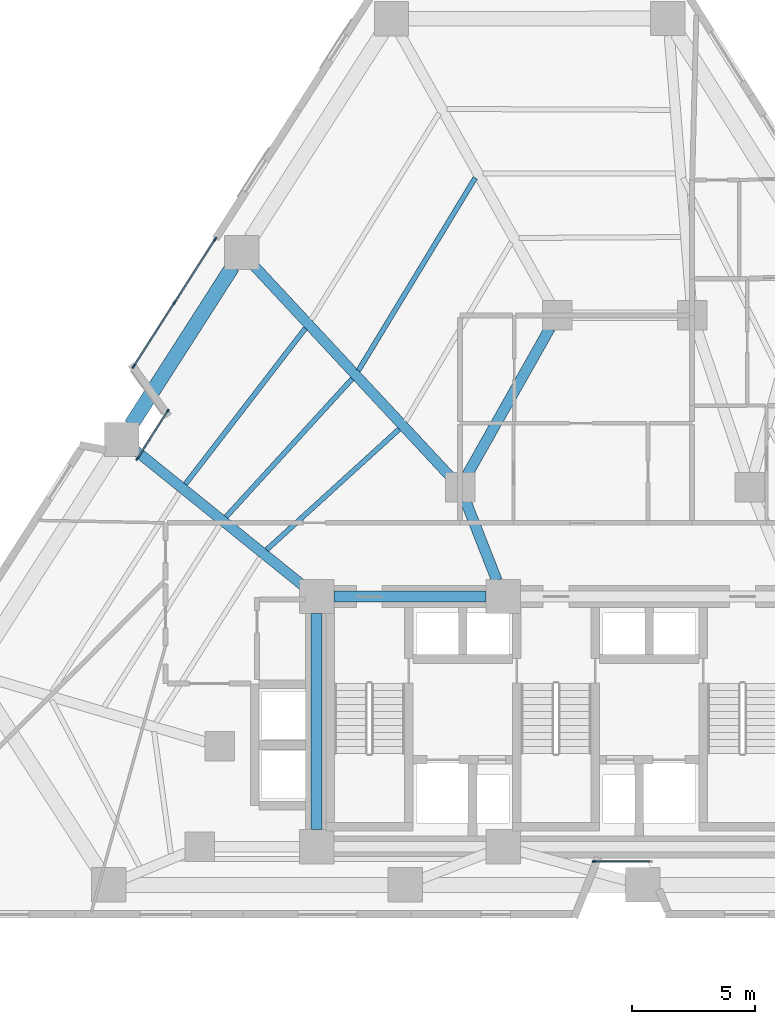
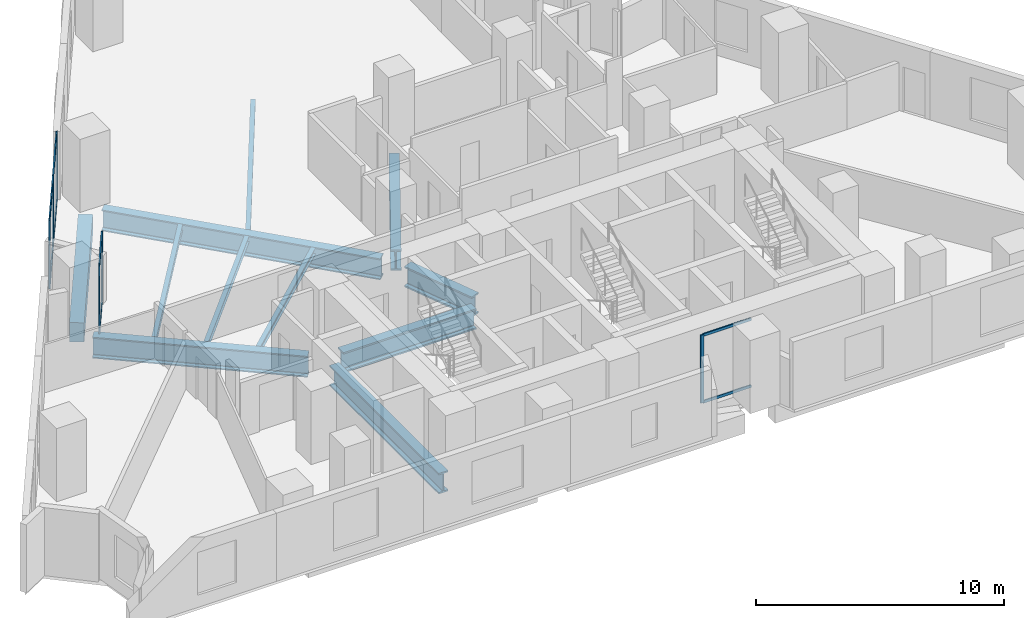
# One storey, part 2 of 13: 14 members, 11 beams, 3 elements without a shape of their own.
"""IFC4 building model written with IfcOpenShell, lengths in metres."""

from ifc_helpers import new_model, si_unit, direction, frame, origin, origin_2d, place, context, subcontext, project, spatial, rectangle, i_section, extrude, material, layer, layer_set, material_profile, profile_set, type_object, element, aggregate, save


model = new_model("IFC4")

# Units and contexts
model_context = context("Model", 3, precision=1e-05, world=origin(), true_north=direction((0.0, 1.0)))
body_context = subcontext(model_context, "Body", "Model", "MODEL_VIEW")
ifc_project = project(units=[si_unit("LENGTHUNIT", "METRE"), si_unit("AREAUNIT", "SQUARE_METRE"), si_unit("VOLUMEUNIT", "CUBIC_METRE"), si_unit("PLANEANGLEUNIT", "RADIAN"), si_unit("MASSUNIT", "GRAM", prefix="KILO")], contexts=[model_context])

# Site, building, storey
site_placement = place(None, origin())
site = spatial("IfcSite", under=ifc_project, at=site_placement, CompositionType="ELEMENT")
building_placement = place(site_placement, origin())
building = spatial("IfcBuilding", under=site, at=building_placement, Name="Almagre Mirador Tower", CompositionType="ELEMENT")
storey_placement = place(building_placement, frame((0.0, 0.0, 57.0)))
storey = spatial("IfcBuildingStorey", under=building, at=storey_placement, Name="L13", CompositionType="ELEMENT", Elevation=57.0)

# Beams
ifc_material_1 = material(Name="Steel ASTM A992 Grade 50", Category="steel")
ifc_material_profile_1 = material_profile(ifc_material_1, i_section(OverallWidth=0.205078125, OverallDepth=0.31005859375, WebThickness=0.009521484375, FlangeThickness=0.016357421875, FilletRadius=0.013916015625, at=origin_2d()), Name="W12X50")
ifc_profile_set_1 = profile_set([ifc_material_profile_1], Name="Steel ASTM A992 Grade 50")
beam_type_1 = type_object("IfcBeamType", Name="BM-JST-W12X50", PredefinedType="JOIST", material=ifc_profile_set_1)
beam_1_placement = place(storey_placement, frame((34.012939453125, 31.798828125, -0.405029296875), z_axis=(-0.51858522913, -0.855025941202, 0.0), x_axis=(0.855025941202, -0.51858522913, 0.0)))
element("IfcBeam", 1, at=beam_1_placement, inside=storey, type_object=beam_type_1, Name="L13 secondary floor joist PC09-PC10.2", PredefinedType="JOIST", context=body_context, shape_type="SweptSolid", body=[
    extrude(i_section(OverallWidth=0.205078125, OverallDepth=0.31005859375, WebThickness=0.009521484375, FlangeThickness=0.016357421875, FilletRadius=0.013916015625, at=origin_2d()), origin(), (0.0, 0.0, 1.0), 9.178955078125),
])
beam_2_placement = place(storey_placement, frame((27.093017578125, 25.672119140625, -0.405029296875), z_axis=(-0.610045173771, -0.792366636071, 0.0), x_axis=(0.792366636071, -0.610045173771, 0.0)))
element("IfcBeam", 2, at=beam_2_placement, inside=storey, type_object=beam_type_1, Name="L13 secondary floor joist PC10-PC11.1", PredefinedType="JOIST", context=body_context, shape_type="SweptSolid", body=[
    extrude(i_section(OverallWidth=0.205078125, OverallDepth=0.31005859375, WebThickness=0.009521484375, FlangeThickness=0.016357421875, FilletRadius=0.013916015625, at=origin_2d()), origin(), (0.0, 0.0, 1.0), 8.007568359375),
])
beam_3_placement = place(storey_placement, frame((29.0029296875, 23.6171875, -0.405029296875), z_axis=(-0.674525341374, -0.738251694102, 0.0), x_axis=(0.738251694102, -0.674525341374, 0.0)))
element("IfcBeam", 3, at=beam_3_placement, inside=storey, type_object=beam_type_1, Name="L13 secondary floor joist PC10-PC11.2", PredefinedType="JOIST", context=body_context, shape_type="SweptSolid", body=[
    extrude(i_section(OverallWidth=0.205078125, OverallDepth=0.31005859375, WebThickness=0.009521484375, FlangeThickness=0.016357421875, FilletRadius=0.013916015625, at=origin_2d()), origin(), (0.0, 0.0, 1.0), 7.6201171875),
])
beam_4_placement = place(storey_placement, frame((30.912841796875, 21.564453125, -0.405029296875), z_axis=(-0.739528010183, -0.673125784794, 0.0), x_axis=(0.673125784794, -0.739528010183, 0.0)))
element("IfcBeam", 4, at=beam_4_placement, inside=storey, type_object=beam_type_1, Name="L13 secondary floor joist PC10-PC11.3", PredefinedType="JOIST", context=body_context, shape_type="SweptSolid", body=[
    extrude(i_section(OverallWidth=0.205078125, OverallDepth=0.31005859375, WebThickness=0.009521484375, FlangeThickness=0.016357421875, FilletRadius=0.013916015625, at=origin_2d()), origin(), (0.0, 0.0, 1.0), 7.294677734375),
])
ifc_material_2 = material(Name="Precast concrete C50/60", Category="concrete")
ifc_material_profile_2 = material_profile(ifc_material_2, rectangle(XDim=0.60009765625, YDim=0.949951171875, at=origin_2d()), Name="RC600X950")
ifc_profile_set_2 = profile_set([ifc_material_profile_2], Name="Precast concrete C50/60")
beam_type_2 = type_object("IfcBeamType", Name="BM-SPN-RC600X950", PredefinedType="SPANDREL", material=ifc_profile_set_2)
beam_5_placement = place(storey_placement, frame((24.122314453125, 28.171630859375, -0.72509765625), z_axis=(-0.539486777129, -0.841994072012, 0.0), x_axis=(0.841994072012, -0.539486777129, 0.0)))
element("IfcBeam", 5, at=beam_5_placement, inside=storey, type_object=beam_type_2, Name="L13 perimeter spandrel beam PC10-PC11", PredefinedType="SPANDREL", context=body_context, shape_type="SweptSolid", body=[
    extrude(rectangle(XDim=0.60009765625, YDim=0.949951171875, at=origin_2d()), origin(), (0.0, 0.0, 1.0), 7.645263671875),
])
ifc_material_3 = material(Name="Steel ASTM A992 Grade 50", Category="steel")
ifc_material_profile_3 = material_profile(ifc_material_3, i_section(OverallWidth=0.43701171875, OverallDepth=1.010986328125, WebThickness=0.041015625, FlangeThickness=0.073974609375, FilletRadius=0.028076171875, at=origin_2d()), Name="W36X529")
ifc_profile_set_3 = profile_set([ifc_material_profile_3], Name="Steel ASTM A992 Grade 50")
beam_type_3 = type_object("IfcBeamType", Name="BM-STL-W36X529", PredefinedType="BEAM", material=ifc_profile_set_3)
beam_6_placement = place(storey_placement, frame((28.25, 14.75, -0.755615234375), z_axis=(1.0, 0.0, 0.0), x_axis=(0.0, 1.0, 0.0)))
element("IfcBeam", 6, at=beam_6_placement, inside=storey, type_object=beam_type_3, Name="L13 core tie girder CC4-CC5", PredefinedType="BEAM", context=body_context, shape_type="SweptSolid", body=[
    extrude(i_section(OverallWidth=0.43701171875, OverallDepth=1.010986328125, WebThickness=0.041015625, FlangeThickness=0.073974609375, FilletRadius=0.028076171875, at=origin_2d()), origin(), (0.0, 0.0, 1.0), 6.199951171875),
])
beam_7_placement = place(storey_placement, frame((27.550048828125, 5.25, -0.755615234375), z_axis=(0.0, 1.0, 0.0), x_axis=(-1.0, 0.0, 0.0)))
element("IfcBeam", 7, at=beam_7_placement, inside=storey, type_object=beam_type_3, Name="L13 core tie girder CC1-CC4", PredefinedType="BEAM", context=body_context, shape_type="SweptSolid", body=[
    extrude(i_section(OverallWidth=0.43701171875, OverallDepth=1.010986328125, WebThickness=0.041015625, FlangeThickness=0.073974609375, FilletRadius=0.028076171875, at=origin_2d()), origin(), (0.0, 0.0, 1.0), 8.800048828125),
])
beam_8_placement = place(storey_placement, frame((37.05517578125, 25.677490234375, -0.755615234375), z_axis=(-0.491440637516, -0.870911074564, 0.0), x_axis=(0.870911074564, -0.491440637516, 0.0)))
element("IfcBeam", 8, at=beam_8_placement, inside=storey, type_object=beam_type_3, Name="L13 core tie girder MC7-MC8", PredefinedType="BEAM", context=body_context, shape_type="SweptSolid", body=[
    extrude(i_section(OverallWidth=0.43701171875, OverallDepth=1.010986328125, WebThickness=0.041015625, FlangeThickness=0.073974609375, FilletRadius=0.028076171875, at=origin_2d()), origin(), (0.0, 0.0, 1.0), 6.837646484375),
])
beam_9_placement = place(storey_placement, frame((33.61962890625, 18.6416015625, -0.755615234375), z_axis=(0.365956076985, -0.93063212373, 0.0), x_axis=(0.93063212373, 0.365956076985, 0.0)))
element("IfcBeam", 9, at=beam_9_placement, inside=storey, type_object=beam_type_3, Name="L13 core tie girder MC8-CC5", PredefinedType="BEAM", context=body_context, shape_type="SweptSolid", body=[
    extrude(i_section(OverallWidth=0.43701171875, OverallDepth=1.010986328125, WebThickness=0.041015625, FlangeThickness=0.073974609375, FilletRadius=0.028076171875, at=origin_2d()), origin(), (0.0, 0.0, 1.0), 3.481689453125),
])
ifc_material_4 = material(Name="Steel ASTM A913 Grade 65", Category="steel")
ifc_material_profile_4 = material_profile(ifc_material_4, i_section(OverallWidth=0.4189453125, OverallDepth=1.041015625, WebThickness=0.031005859375, FlangeThickness=0.055908203125, FilletRadius=0.030029296875, at=origin_2d()), Name="W40X397")
ifc_profile_set_4 = profile_set([ifc_material_profile_4], Name="Steel ASTM A913 Grade 65")
beam_type_4 = type_object("IfcBeamType", Name="BM-STL-W40X397", PredefinedType="BEAM", material=ifc_profile_set_4)
beam_10_placement = place(storey_placement, frame((24.976806640625, 28.24853515625, -0.7705078125), z_axis=(0.681362933779, -0.731945730551, 0.0), x_axis=(0.731945730551, 0.681362933779, 0.0)))
element("IfcBeam", 10, at=beam_10_placement, inside=storey, type_object=beam_type_4, Name="L13 radial floor girder PC10-MC8", PredefinedType="BEAM", context=body_context, shape_type="SweptSolid", body=[
    extrude(i_section(OverallWidth=0.4189453125, OverallDepth=1.041015625, WebThickness=0.031005859375, FlangeThickness=0.055908203125, FilletRadius=0.030029296875, at=origin_2d()), origin(), (0.0, 0.0, 1.0), 11.76220703125),
])
beam_11_placement = place(storey_placement, frame((20.164794921875, 20.70556640625, -0.7705078125), z_axis=(0.778428805214, -0.627732901171, 0.0), x_axis=(0.627732901171, 0.778428805214, 0.0)))
element("IfcBeam", 11, at=beam_11_placement, inside=storey, type_object=beam_type_4, Name="L13 radial floor girder PC11-CC4", PredefinedType="BEAM", context=body_context, shape_type="SweptSolid", body=[
    extrude(i_section(OverallWidth=0.4189453125, OverallDepth=1.041015625, WebThickness=0.031005859375, FlangeThickness=0.055908203125, FilletRadius=0.030029296875, at=origin_2d()), origin(), (0.0, 0.0, 1.0), 8.787353515625),
])

# Curtain wall, members
ifc_material_5 = material(Name="Black anodized aluminium", Category="aluminium")
ifc_layer_1 = layer(ifc_material_5, 0.169921875)
ifc_layer_set_1 = layer_set([ifc_layer_1], Name="Black anodized aluminium")
curtain_wall_type_1 = type_object("IfcCurtainWallType", Name="CW-CRS-SYS", PredefinedType="NOTDEFINED", material=ifc_layer_set_1)
curtain_wall_1_placement = place(storey_placement, origin())
curtain_wall_1 = element("IfcCurtainWall", 12, at=curtain_wall_1_placement, inside=storey, type_object=curtain_wall_type_1, Name="L13 vertical crease curtain wall 01", PredefinedType="NOTDEFINED")
ifc_material_6 = material(Name="Black anodized aluminium", Category="aluminium")
ifc_material_profile_5 = material_profile(ifc_material_6, rectangle(XDim=0.06005859375, YDim=0.14990234375, at=origin_2d()), Name="CWM60X150")
ifc_profile_set_5 = profile_set([ifc_material_profile_5], Name="Black anodized aluminium")
member_type_1 = type_object("IfcMemberType", Name="MBR-CWM60X150", PredefinedType="MULLION", material=ifc_profile_set_5)
member_1_placement = place(storey_placement, frame((20.24560546875, 20.3603515625, 0.0), z_axis=(0.0, 0.0, 1.0), x_axis=(-0.841762109764, 0.539848636718, 0.0)))
member_1 = element("IfcMember", 13, at=member_1_placement, type_object=member_type_1, Name="CW-4 mullion 1", PredefinedType="MULLION", context=body_context, shape_type="SweptSolid", body=[
    extrude(rectangle(XDim=0.06005859375, YDim=0.14990234375, at=origin_2d()), origin(), (0.0, 0.0, 1.0), 3.35009765625),
])
member_2_placement = place(storey_placement, frame((21.492431640625, 22.304443359375, 0.0), z_axis=(0.0, 0.0, 1.0), x_axis=(-0.841762109764, 0.539848636718, 0.0)))
member_2 = element("IfcMember", 14, at=member_2_placement, type_object=member_type_1, Name="CW-4 mullion 2", PredefinedType="MULLION", context=body_context, shape_type="SweptSolid", body=[
    extrude(rectangle(XDim=0.06005859375, YDim=0.14990234375, at=origin_2d()), origin(), (0.0, 0.0, 1.0), 3.35009765625),
])

# Curtain wall, member
curtain_wall_2_placement = place(storey_placement, origin())
curtain_wall_2 = element("IfcCurtainWall", 15, at=curtain_wall_2_placement, inside=storey, type_object=curtain_wall_type_1, Name="L13 vertical crease curtain wall 04", PredefinedType="NOTDEFINED")
member_3_placement = place(storey_placement, frame((38.844970703125, 3.949951171875, 0.0), z_axis=(0.0, 0.0, 1.0), x_axis=(0.0, -1.0, 0.0)))
member_3 = element("IfcMember", 16, at=member_3_placement, type_object=member_type_1, Name="CW-4 mullion 2", PredefinedType="MULLION", context=body_context, shape_type="SweptSolid", body=[
    extrude(rectangle(XDim=0.06005859375, YDim=0.14990234375, at=origin_2d()), origin(), (0.0, 0.0, 1.0), 3.35009765625),
])

# Curtain wall, members
ifc_material_7 = material(Name="Black anodized aluminium", Category="aluminium")
ifc_layer_2 = layer(ifc_material_7, 0.18994140625)
ifc_layer_set_2 = layer_set([ifc_layer_2], Name="Black anodized aluminium")
curtain_wall_type_2 = type_object("IfcCurtainWallType", Name="CW-RES-L-SYS", PredefinedType="NOTDEFINED", material=ifc_layer_set_2)
curtain_wall_3_placement = place(storey_placement, origin())
curtain_wall_3 = element("IfcCurtainWall", 17, at=curtain_wall_3_placement, inside=storey, type_object=curtain_wall_type_2, Name="L13 curtain wall run 02", PredefinedType="NOTDEFINED")
ifc_material_8 = material(Name="Black anodized aluminium", Category="aluminium")
ifc_material_profile_6 = material_profile(ifc_material_8, rectangle(XDim=0.06494140625, YDim=0.179931640625, at=origin_2d()), Name="CWM65X180")
ifc_profile_set_6 = profile_set([ifc_material_profile_6], Name="Black anodized aluminium")
member_type_2 = type_object("IfcMemberType", Name="MBR-CWM65X180", PredefinedType="MULLION", material=ifc_profile_set_6)
member_4_placement = place(storey_placement, frame((20.1015625, 24.119384765625, 0.0), z_axis=(0.0, 0.0, 1.0), x_axis=(-0.841986348843, 0.539498830732, 0.0)))
member_4 = element("IfcMember", 18, at=member_4_placement, type_object=member_type_2, Name="CW-2 mullion 1", PredefinedType="MULLION", context=body_context, shape_type="SweptSolid", body=[
    extrude(rectangle(XDim=0.06494140625, YDim=0.179931640625, at=origin_2d()), origin(), (0.0, 0.0, 1.0), 3.35009765625),
])
member_5_placement = place(storey_placement, frame((21.76025390625, 26.708251953125, 0.0), z_axis=(0.0, 0.0, 1.0), x_axis=(-0.841986348843, 0.539498830732, 0.0)))
member_5 = element("IfcMember", 19, at=member_5_placement, type_object=member_type_2, Name="CW-2 mullion 2", PredefinedType="MULLION", context=body_context, shape_type="SweptSolid", body=[
    extrude(rectangle(XDim=0.06494140625, YDim=0.179931640625, at=origin_2d()), origin(), (0.0, 0.0, 1.0), 3.35009765625),
])
member_6_placement = place(storey_placement, frame((23.419189453125, 29.297119140625, 0.0), z_axis=(0.0, 0.0, 1.0), x_axis=(-0.841986348843, 0.539498830732, 0.0)))
member_6 = element("IfcMember", 20, at=member_6_placement, type_object=member_type_2, Name="CW-2 mullion 3", PredefinedType="MULLION", context=body_context, shape_type="SweptSolid", body=[
    extrude(rectangle(XDim=0.06494140625, YDim=0.179931640625, at=origin_2d()), origin(), (0.0, 0.0, 1.0), 3.35009765625),
])

# Member
ifc_material_9 = material(Name="Black anodized aluminium", Category="aluminium")
ifc_material_profile_7 = material_profile(ifc_material_9, rectangle(XDim=0.06005859375, YDim=0.1298828125, at=origin_2d()), Name="CWT60X130")
ifc_profile_set_7 = profile_set([ifc_material_profile_7], Name="Black anodized aluminium")
member_type_3 = type_object("IfcMemberType", Name="MBR-CWT60X130", PredefinedType="USERDEFINED", material=ifc_profile_set_7)
member_7_placement = place(storey_placement, frame((20.26171875, 20.3857421875, 0.030029296875), z_axis=(0.539912624717, 0.841721068805, 0.0), x_axis=(-0.841721068805, 0.539912624717, 0.0)))
member_7 = element("IfcMember", 21, at=member_7_placement, type_object=member_type_3, Name="CW-4 transom 1.1", ObjectType="TRANSOM", PredefinedType="USERDEFINED", context=body_context, shape_type="SweptSolid", body=[
    extrude(rectangle(XDim=0.06005859375, YDim=0.1298828125, at=origin_2d()), origin(), (0.0, 0.0, 1.0), 2.24951171875),
])

member_8_placement = place(storey_placement, frame((20.26171875, 20.3857421875, 3.320068359375), z_axis=(0.539912624717, 0.841721068805, 0.0), x_axis=(-0.841721068805, 0.539912624717, 0.0)))
member_8 = element("IfcMember", 22, at=member_8_placement, type_object=member_type_3, Name="CW-4 transom 1.2", ObjectType="TRANSOM", PredefinedType="USERDEFINED", context=body_context, shape_type="SweptSolid", body=[
    extrude(rectangle(XDim=0.06005859375, YDim=0.1298828125, at=origin_2d()), origin(), (0.0, 0.0, 1.0), 2.24951171875),
])

aggregate(curtain_wall_1, [member_1, member_2, member_7, member_8])

member_9_placement = place(storey_placement, frame((20.119140625, 24.146728515625, 0.030029296875), z_axis=(0.539502473988, 0.841984014433, 0.0), x_axis=(-0.841984014433, 0.539502473988, 0.0)))
member_9 = element("IfcMember", 23, at=member_9_placement, type_object=member_type_3, Name="CW-2 transom 1.1", ObjectType="TRANSOM", PredefinedType="USERDEFINED", context=body_context, shape_type="SweptSolid", body=[
    extrude(rectangle(XDim=0.06005859375, YDim=0.1298828125, at=origin_2d()), origin(), (0.0, 0.0, 1.0), 3.009765625),
])

member_10_placement = place(storey_placement, frame((20.119140625, 24.146728515625, 3.320068359375), z_axis=(0.539502473988, 0.841984014433, 0.0), x_axis=(-0.841984014433, 0.539502473988, 0.0)))
member_10 = element("IfcMember", 24, at=member_10_placement, type_object=member_type_3, Name="CW-2 transom 1.2", ObjectType="TRANSOM", PredefinedType="USERDEFINED", context=body_context, shape_type="SweptSolid", body=[
    extrude(rectangle(XDim=0.06005859375, YDim=0.1298828125, at=origin_2d()), origin(), (0.0, 0.0, 1.0), 3.009765625),
])

member_11_placement = place(storey_placement, frame((21.77783203125, 26.735595703125, 0.030029296875), z_axis=(0.539502473988, 0.841984014433, 0.0), x_axis=(-0.841984014433, 0.539502473988, 0.0)))
member_11 = element("IfcMember", 25, at=member_11_placement, type_object=member_type_3, Name="CW-2 transom 2.1", ObjectType="TRANSOM", PredefinedType="USERDEFINED", context=body_context, shape_type="SweptSolid", body=[
    extrude(rectangle(XDim=0.06005859375, YDim=0.1298828125, at=origin_2d()), origin(), (0.0, 0.0, 1.0), 3.009765625),
])

member_12_placement = place(storey_placement, frame((21.77783203125, 26.735595703125, 3.320068359375), z_axis=(0.539502473988, 0.841984014433, 0.0), x_axis=(-0.841984014433, 0.539502473988, 0.0)))
member_12 = element("IfcMember", 26, at=member_12_placement, type_object=member_type_3, Name="CW-2 transom 2.2", ObjectType="TRANSOM", PredefinedType="USERDEFINED", context=body_context, shape_type="SweptSolid", body=[
    extrude(rectangle(XDim=0.06005859375, YDim=0.1298828125, at=origin_2d()), origin(), (0.0, 0.0, 1.0), 3.009765625),
])

aggregate(curtain_wall_3, [member_4, member_5, member_6, member_9, member_10, member_11, member_12])

member_13_placement = place(storey_placement, frame((41.125, 3.949951171875, 0.030029296875), z_axis=(-1.0, 0.0, 0.0), x_axis=(0.0, -1.0, 0.0)))
member_13 = element("IfcMember", 27, at=member_13_placement, type_object=member_type_3, Name="CW-4 transom 1.1", ObjectType="TRANSOM", PredefinedType="USERDEFINED", context=body_context, shape_type="SweptSolid", body=[
    extrude(rectangle(XDim=0.06005859375, YDim=0.1298828125, at=origin_2d()), origin(), (0.0, 0.0, 1.0), 2.25),
])

member_14_placement = place(storey_placement, frame((41.125, 3.949951171875, 3.320068359375), z_axis=(-1.0, 0.0, 0.0), x_axis=(0.0, -1.0, 0.0)))
member_14 = element("IfcMember", 28, at=member_14_placement, type_object=member_type_3, Name="CW-4 transom 1.2", ObjectType="TRANSOM", PredefinedType="USERDEFINED", context=body_context, shape_type="SweptSolid", body=[
    extrude(rectangle(XDim=0.06005859375, YDim=0.1298828125, at=origin_2d()), origin(), (0.0, 0.0, 1.0), 2.25),
])

aggregate(curtain_wall_2, [member_3, member_13, member_14])

save(model, "model.ifc")
